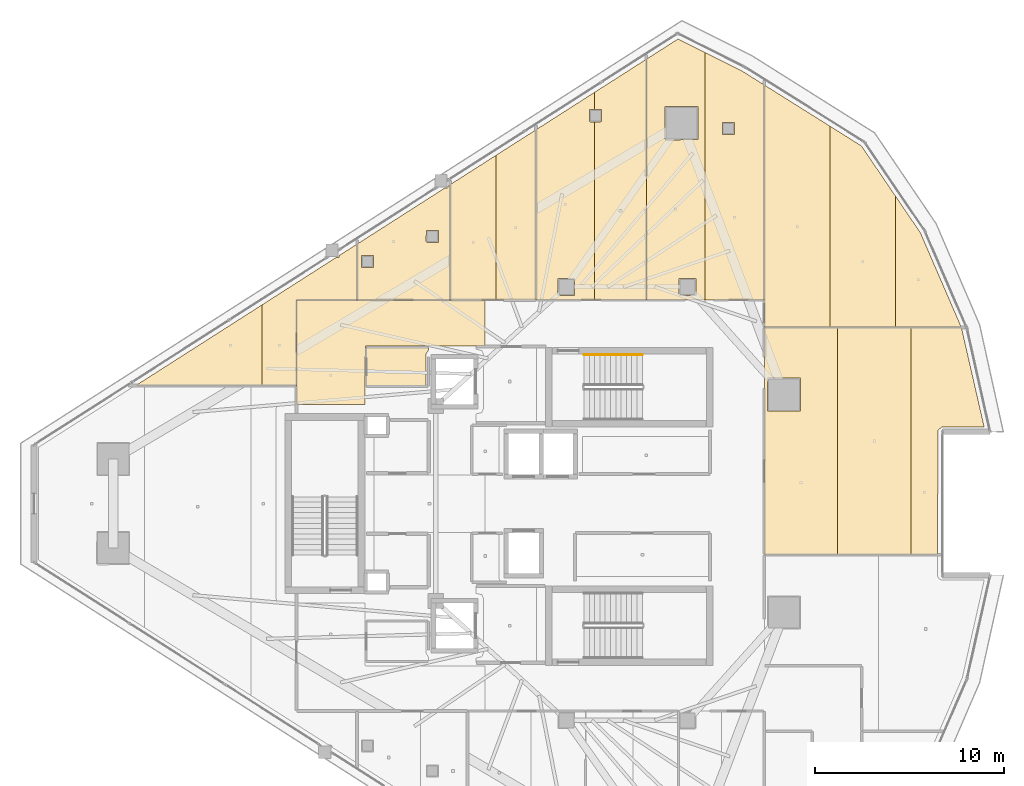
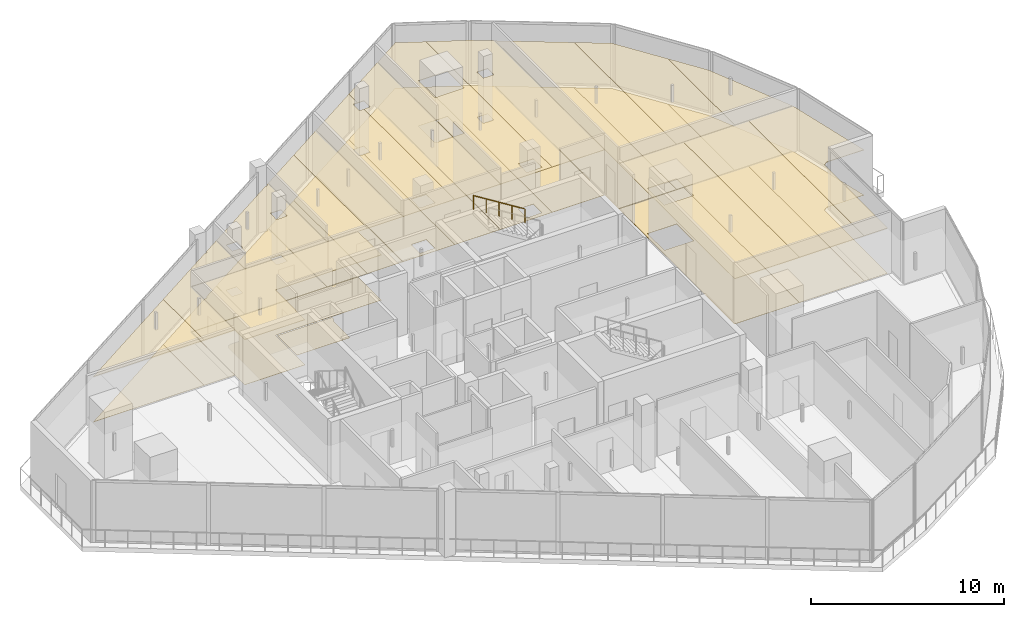
# One storey, part 33 of 33: 33 coverings, 1 railing.
"""IFC4 building model written with IfcOpenShell, lengths in metres."""

import ifcopenshell
import ifcopenshell.guid

model = None  # the IFC model being written
_history = None  # IfcOwnerHistory: only IFC2X3 demands one
_inside = {}  # id of a spatial element -> (the spatial element, [elements in it])
_under = {}  # id of a project, library or spatial element -> (it, [spatial elements below it])
_declared = {}  # id of a project -> (the project, [libraries it declares])
_typed = {}  # id of a type object -> (the type object, [elements of that type])
_made_of = {}  # id of a material, layer set ... -> (it, [elements and type objects made of it])


def new_model(schema):
    """Start an empty IFC model of exactly this schema.

    Asked for "IFC4X3", IfcOpenShell would pick the latest addendum, in which some entities
    have other attributes; the version numbers below select the first issue.
    IFC2X3 requires an IfcOwnerHistory on every rooted entity: one is made here for all.
    """
    global model, _history
    if schema == "IFC4X3":
        model = ifcopenshell.file(schema_version=(4, 3, 0, 0))
    else:
        model = ifcopenshell.file(schema=schema)
    _inside.clear()
    _under.clear()
    _declared.clear()
    _typed.clear()
    _made_of.clear()
    _history = None
    if model.schema == "IFC2X3":
        org = make("IfcOrganization", Name="unknown")
        user = make(
            "IfcPersonAndOrganization",
            ThePerson=make("IfcPerson", FamilyName="unknown"),
            TheOrganization=org,
        )
        app = make(
            "IfcApplication",
            ApplicationDeveloper=org,
            Version="unknown",
            ApplicationFullName="unknown",
            ApplicationIdentifier="unknown",
        )
        _history = make(
            "IfcOwnerHistory",
            OwningUser=user,
            OwningApplication=app,
            ChangeAction="ADDED",
            CreationDate=0,
        )
    return model


def make(cls, **values):
    """One entity of the class cls with the attributes given. An attribute that is None is left unset."""
    return model.create_entity(
        cls, **{name: value for name, value in values.items() if value is not None}
    )


def rooted(cls, **values):
    """An entity with a GlobalId (a new one), such as an element, a storey or a relation."""
    return make(cls, GlobalId=ifcopenshell.guid.new(), OwnerHistory=_history, **values)


def si_unit(unit_type, name, prefix=None):
    """IfcSIUnit, for example si_unit("LENGTHUNIT", "METRE", prefix="MILLI")."""
    return make("IfcSIUnit", UnitType=unit_type, Prefix=prefix, Name=name)


def assignment(units):
    """IfcUnitAssignment: the units of a project."""
    return None if units is None else make("IfcUnitAssignment", Units=units)


def point(xyz):
    """IfcCartesianPoint."""
    return None if xyz is None else make("IfcCartesianPoint", Coordinates=xyz)


def direction(xyz):
    """IfcDirection."""
    return None if xyz is None else make("IfcDirection", DirectionRatios=xyz)


def frame(location, z_axis=None, x_axis=None):
    """IfcAxis2Placement3D, a coordinate frame: its origin and axes. An axis left out is left unset."""
    return make(
        "IfcAxis2Placement3D",
        Location=point(location),
        Axis=direction(z_axis),
        RefDirection=direction(x_axis),
    )


def frame_2d(location, x_axis=None):
    """IfcAxis2Placement2D, a coordinate frame in the plane: its origin and x axis."""
    return make(
        "IfcAxis2Placement2D", Location=point(location), RefDirection=direction(x_axis)
    )


def origin():
    """The frame at (0, 0, 0) with its axes left unset."""
    return frame((0.0, 0.0, 0.0))


def origin_2d():
    """The frame at (0, 0) in the plane with its x axis left unset."""
    return frame_2d((0.0, 0.0))


def place(relative_to, where):
    """IfcLocalPlacement: puts the frame where relative to a parent placement (None: the world)."""
    return make(
        "IfcLocalPlacement", PlacementRelTo=relative_to, RelativePlacement=where
    )


def context(
    kind, dimensions, precision=None, world=None, true_north=None, identifier=None
):
    """IfcGeometricRepresentationContext, for example the 3D "Model" context."""
    return make(
        "IfcGeometricRepresentationContext",
        ContextIdentifier=identifier,
        ContextType=kind,
        CoordinateSpaceDimension=dimensions,
        Precision=precision,
        WorldCoordinateSystem=world,
        TrueNorth=true_north,
    )


def subcontext(parent, identifier, kind, view, scale=None):
    """IfcGeometricRepresentationSubContext, for example "Body" below "Model"."""
    return make(
        "IfcGeometricRepresentationSubContext",
        ContextIdentifier=identifier,
        ContextType=kind,
        ParentContext=parent,
        TargetScale=scale,
        TargetView=view,
    )


def project(units=None, contexts=None):
    """IfcProject with its units and contexts."""
    return rooted(
        "IfcProject",
        Name="project",
        RepresentationContexts=contexts,
        UnitsInContext=assignment(units),
    )


def spatial(cls, under=None, at=None, **own):
    """A site, building, storey or space (cls), placed at a placement, below another one or the project."""
    s = rooted(cls, ObjectPlacement=at, **own)
    if under is not None:
        _under.setdefault(under.id(), (under, []))[1].append(s)
    return s


def polyline(points):
    """IfcPolyline through the points."""
    return make("IfcPolyline", Points=[point(p) for p in points])


def profile(cls, at=None, kind="AREA", **sizes):
    """A parametric profile (cls). Its sizes go by their IFC names, for example OverallWidth=200.0."""
    return make(cls, ProfileType=kind, Position=at, **sizes)


def circle(**sizes):
    """IfcCircleProfileDef."""
    return profile("IfcCircleProfileDef", **sizes)


def outline(outer, holes=None, kind="AREA"):
    """IfcArbitraryClosedProfileDef: a profile drawn as a closed curve; with holes, ...WithVoids."""
    if holes is None:
        return make("IfcArbitraryClosedProfileDef", ProfileType=kind, OuterCurve=outer)
    return make(
        "IfcArbitraryProfileDefWithVoids",
        ProfileType=kind,
        OuterCurve=outer,
        InnerCurves=holes,
    )


def extrude(swept, where, along, depth):
    """IfcExtrudedAreaSolid: the profile swept, set in the frame where, extruded along a direction by depth."""
    return make(
        "IfcExtrudedAreaSolid",
        SweptArea=swept,
        Position=where,
        ExtrudedDirection=direction(along),
        Depth=depth,
    )


def shape(context_of_items, identifier, shape_type, items):
    """IfcShapeRepresentation: the items that make up one representation, for example the "Body"."""
    return make(
        "IfcShapeRepresentation",
        ContextOfItems=context_of_items,
        RepresentationIdentifier=identifier,
        RepresentationType=shape_type,
        Items=items,
    )


def material(Name=None, Category=None):
    """IfcMaterial."""
    return make("IfcMaterial", Name=Name, Category=Category)


def layer(
    of_material, thickness, ventilated=None, Name=None, Category=None, Priority=None
):
    """IfcMaterialLayer: one layer of a wall or slab, of a material (None: an air gap)."""
    return make(
        "IfcMaterialLayer",
        Material=of_material,
        LayerThickness=thickness,
        IsVentilated=ventilated,
        Name=Name,
        Category=Category,
        Priority=Priority,
    )


def layer_set(layers, Name=None):
    """IfcMaterialLayerSet."""
    return make("IfcMaterialLayerSet", MaterialLayers=layers, LayerSetName=Name)


def made_of(thing, what):
    """Note that an element or type object is made of a material, layer set ...; save() writes the relation."""
    if what is not None:
        _made_of.setdefault(what.id(), (what, []))[1].append(thing)
    return thing


def type_object(cls, material=None, **own):
    """A type object (cls), such as IfcWallType, which elements share."""
    return made_of(rooted(cls, **own), material)


def element(
    cls,
    number,
    at=None,
    inside=None,
    cuts=None,
    type_object=None,
    material=None,
    context=None,
    identifier="Body",
    shape_type=None,
    held_by="IfcProductDefinitionShape",
    body=None,
    shapes=None,
    **own,
):
    """One element of the class cls, such as IfcWall. Its Tag is "e" and its number.

    at: its placement. inside: the storey or other place that contains it. cuts: it is an
    opening in that element (IfcRelVoidsElement). A single representation is given by context,
    identifier, shape_type and body (its items); several are given by shapes. held_by: the class
    of the entity that holds the representations. save() writes the other relations.
    """
    e = rooted(cls, Tag="e%d" % number, ObjectPlacement=at, **own)
    if body is not None:
        shapes = [shape(context, identifier, shape_type, body)]
    if shapes is not None:
        e.Representation = make(held_by, Representations=shapes)
    if inside is not None:
        _inside.setdefault(inside.id(), (inside, []))[1].append(e)
    if cuts is not None:
        rooted(
            "IfcRelVoidsElement", RelatingBuildingElement=cuts, RelatedOpeningElement=e
        )
    if type_object is not None:
        _typed.setdefault(type_object.id(), (type_object, []))[1].append(e)
    return made_of(e, material)


def aggregate(whole, parts):
    """IfcRelAggregates: a whole, such as a stair, and the parts it consists of."""
    return rooted("IfcRelAggregates", RelatingObject=whole, RelatedObjects=parts)


def save(model, path):
    """Write the relations noted so far, then the file.

    IfcRelAggregates (storeys below a building ...), IfcRelContainedInSpatialStructure (elements
    in a storey), IfcRelDefinesByType, IfcRelAssociatesMaterial and IfcRelDeclares: one each for
    every whole, place, type object, material and project.
    """
    for whole, parts in _under.values():
        aggregate(whole, parts)
    for where, things in _inside.values():
        rooted(
            "IfcRelContainedInSpatialStructure",
            RelatedElements=things,
            RelatingStructure=where,
        )
    for kind, things in _typed.values():
        rooted("IfcRelDefinesByType", RelatedObjects=things, RelatingType=kind)
    for what, things in _made_of.values():
        rooted("IfcRelAssociatesMaterial", RelatedObjects=things, RelatingMaterial=what)
    for by, libraries in _declared.values():
        rooted("IfcRelDeclares", RelatingContext=by, RelatedDefinitions=libraries)
    model.write(path)


model = new_model("IFC4")

# Units and contexts
model_context = context("Model", 3, precision=1e-05, world=origin(), true_north=direction((0.0, 1.0)))
body_context = subcontext(model_context, "Body", "Model", "MODEL_VIEW")
ifc_project = project(units=[si_unit("LENGTHUNIT", "METRE"), si_unit("AREAUNIT", "SQUARE_METRE"), si_unit("VOLUMEUNIT", "CUBIC_METRE"), si_unit("PLANEANGLEUNIT", "RADIAN"), si_unit("MASSUNIT", "GRAM", prefix="KILO")], contexts=[model_context])

# Site, building, storey
site_placement = place(None, origin())
site = spatial("IfcSite", under=ifc_project, at=site_placement, CompositionType="ELEMENT")
building_placement = place(site_placement, origin())
building = spatial("IfcBuilding", under=site, at=building_placement, Name="Qorvath Tower", CompositionType="ELEMENT")
storey_placement = place(building_placement, frame((0.0, 0.0, 280.800048828125)))
storey = spatial("IfcBuildingStorey", under=building, at=storey_placement, Name="L65", CompositionType="ELEMENT", Elevation=280.800048828125)

# Coverings
ifc_material_1 = material(Name="Acoustic mineral fibre ceiling tile", Category="gypsum")
ifc_layer_1 = layer(ifc_material_1, 0.030029296875)
ifc_layer_set_1 = layer_set([ifc_layer_1], Name="COV-CEIL")
covering_type_1 = type_object("IfcCoveringType", Name="COV-CEIL", PredefinedType="CEILING", material=ifc_layer_set_1)
covering_1_placement = place(storey_placement, frame((0.0, 0.0, 2.849853515625)))
element("IfcCovering", 1, at=covering_1_placement, inside=storey, type_object=covering_type_1, Name="L65 Suspended Acoustic Ceiling 012", PredefinedType="CEILING", context=body_context, shape_type="SweptSolid", body=[
    extrude(outline(polyline([(-27.8984375, 8.324951171875), (-27.8984375, 10.7451171875), (-37.844970703125, 10.7451171875), (-37.844970703125, 5.239990234375), (-34.2509765625, 5.239990234375), (-34.219970703125, 8.324951171875), (-27.8984375, 8.324951171875)])), origin(), (0.0, 0.0, 1.0), 0.030029296875),
])
covering_2_placement = place(storey_placement, frame((0.0, 0.0, 2.849853515625)))
element("IfcCovering", 2, at=covering_2_placement, inside=storey, type_object=covering_type_1, Name="L65 Suspended Acoustic Ceiling 014", PredefinedType="CEILING", context=body_context, shape_type="SweptSolid", body=[
    extrude(outline(polyline([(-29.743896484375, 16.850830078125), (-29.83984375, 16.78955078125), (-29.857421875, 16.692138671875), (-30.019775390625, 16.674560546875), (-34.64501953125, 13.718505859375), (-34.64501953125, 10.762939453125), (-29.743896484375, 10.762939453125), (-29.743896484375, 16.850830078125)]), holes=[polyline([(-30.99462890625, 14.441650390625), (-30.35986328125, 14.441650390625), (-30.35986328125, 13.806884765625), (-30.9521484375, 13.789306640625), (-31.01220703125, 13.849365234375), (-30.99462890625, 14.441650390625)]), polyline([(-34.421630859375, 13.10986328125), (-33.786865234375, 13.10986328125), (-33.786865234375, 12.47509765625), (-34.421630859375, 12.47509765625), (-34.421630859375, 13.10986328125)])]), origin(), (0.0, 0.0, 1.0), 0.030029296875),
])
covering_3_placement = place(storey_placement, frame((0.0, 0.0, 2.849853515625)))
element("IfcCovering", 3, at=covering_3_placement, inside=storey, type_object=covering_type_1, Name="L65 Suspended Acoustic Ceiling 015", PredefinedType="CEILING", context=body_context, shape_type="SweptSolid", body=[
    extrude(outline(polyline([(-29.725830078125, 16.8623046875), (-29.725830078125, 10.762939453125), (-27.328369140625, 10.762939453125), (-27.328369140625, 18.394775390625), (-29.725830078125, 16.8623046875)])), origin(), (0.0, 0.0, 1.0), 0.030029296875),
])
covering_4_placement = place(storey_placement, frame((0.0, 0.0, 2.849853515625)))
element("IfcCovering", 4, at=covering_4_placement, inside=storey, type_object=covering_type_1, Name="L65 Suspended Acoustic Ceiling 016", PredefinedType="CEILING", context=body_context, shape_type="SweptSolid", body=[
    extrude(outline(polyline([(-27.328369140625, 18.394775390625), (-27.328369140625, 10.762939453125), (-25.218017578125, 10.762939453125), (-25.218017578125, 19.74365234375), (-27.328369140625, 18.394775390625)])), origin(), (0.0, 0.0, 1.0), 0.030029296875),
])
covering_5_placement = place(storey_placement, frame((0.0, 0.0, 2.849853515625)))
element("IfcCovering", 5, at=covering_5_placement, inside=storey, type_object=covering_type_1, Name="L65 Suspended Acoustic Ceiling 017", PredefinedType="CEILING", context=body_context, shape_type="SweptSolid", body=[
    extrude(outline(polyline([(-25.199951171875, 19.755126953125), (-25.199951171875, 10.762939453125), (-22.1044921875, 10.762939453125), (-22.1044921875, 20.16650390625), (-22.328125, 20.159912109375), (-22.38818359375, 20.219970703125), (-22.37060546875, 20.812255859375), (-22.1044921875, 20.812255859375), (-22.1044921875, 21.7333984375), (-25.199951171875, 19.755126953125)]), holes=[polyline([(-24.06005859375, 11.050048828125), (-24.04248046875, 11.892333984375), (-23.157470703125, 11.892333984375), (-23.157470703125, 11.007568359375), (-24.0, 10.989990234375), (-24.06005859375, 11.050048828125)])]), origin(), (0.0, 0.0, 1.0), 0.030029296875),
])
covering_6_placement = place(storey_placement, frame((0.0, 0.0, 2.849853515625)))
element("IfcCovering", 6, at=covering_6_placement, inside=storey, type_object=covering_type_1, Name="L65 Suspended Acoustic Ceiling 018", PredefinedType="CEILING", context=body_context, shape_type="SweptSolid", body=[
    extrude(outline(polyline([(-22.1044921875, 21.7333984375), (-22.1044921875, 20.812255859375), (-21.73583984375, 20.812255859375), (-21.73583984375, 20.177490234375), (-22.1044921875, 20.16650390625), (-22.1044921875, 10.762939453125), (-19.379150390625, 10.762939453125), (-19.379150390625, 23.475341796875), (-22.1044921875, 21.7333984375)])), origin(), (0.0, 0.0, 1.0), 0.030029296875),
])
covering_7_placement = place(storey_placement, frame((0.0, 0.0, 2.849853515625)))
element("IfcCovering", 7, at=covering_7_placement, inside=storey, type_object=covering_type_1, Name="L65 Suspended Acoustic Ceiling 019", PredefinedType="CEILING", context=body_context, shape_type="SweptSolid", body=[
    extrude(outline(polyline([(-16.285888671875, 10.762939453125), (-16.285888671875, 23.83544921875), (-17.705322265625, 24.545166015625), (-19.361083984375, 23.48681640625), (-19.361083984375, 10.762939453125), (-16.285888671875, 10.762939453125)]), holes=[polyline([(-18.400390625, 19.276611328125), (-18.3828125, 20.968994140625), (-16.648193359375, 20.968994140625), (-16.648193359375, 19.234130859375), (-18.340576171875, 19.216552734375), (-18.400390625, 19.276611328125)]), polyline([(-17.659912109375, 11.050048828125), (-17.642333984375, 11.892333984375), (-16.757568359375, 11.892333984375), (-16.757568359375, 11.007568359375), (-17.60009765625, 10.989990234375), (-17.659912109375, 11.050048828125)])]), origin(), (0.0, 0.0, 1.0), 0.030029296875),
])
covering_8_placement = place(storey_placement, frame((0.0, 0.0, 2.849853515625)))
element("IfcCovering", 8, at=covering_8_placement, inside=storey, type_object=covering_type_1, Name="L65 Suspended Acoustic Ceiling 020", PredefinedType="CEILING", context=body_context, shape_type="SweptSolid", body=[
    extrude(outline(polyline([(-13.155029296875, 10.762939453125), (-13.155029296875, 22.12451171875), (-14.29736328125, 22.84130859375), (-16.285888671875, 23.83544921875), (-16.285888671875, 10.762939453125), (-13.155029296875, 10.762939453125)]), holes=[polyline([(-15.363525390625, 19.500732421875), (-15.363525390625, 20.135498046875), (-14.728759765625, 20.135498046875), (-14.728759765625, 19.500732421875), (-15.363525390625, 19.500732421875)])]), origin(), (0.0, 0.0, 1.0), 0.030029296875),
])
covering_9_placement = place(storey_placement, frame((0.0, 0.0, 2.849853515625)))
element("IfcCovering", 9, at=covering_9_placement, inside=storey, type_object=covering_type_1, Name="L65 Suspended Acoustic Ceiling 033", PredefinedType="CEILING", context=body_context, shape_type="SweptSolid", body=[
    extrude(outline(polyline([(-9.266357421875, -2.689453125), (-9.266357421875, 9.31103515625), (-13.136962890625, 9.31103515625), (-13.136962890625, -2.689453125), (-9.266357421875, -2.689453125)]), holes=[polyline([(-12.964111328125, 4.890380859375), (-12.964111328125, 6.625244140625), (-11.2294921875, 6.625244140625), (-11.2294921875, 4.890380859375), (-12.964111328125, 4.890380859375)])]), origin(), (0.0, 0.0, 1.0), 0.030029296875),
])
covering_10_placement = place(storey_placement, frame((0.0, 0.0, 2.849853515625)))
element("IfcCovering", 10, at=covering_10_placement, inside=storey, type_object=covering_type_1, Name="L65 Suspended Acoustic Ceiling 034", PredefinedType="CEILING", context=body_context, shape_type="SweptSolid", body=[
    extrude(outline(polyline([(-5.39599609375, -2.689453125), (-5.39599609375, 9.31103515625), (-9.266357421875, 9.31103515625), (-9.266357421875, -2.689453125), (-5.39599609375, -2.689453125)])), origin(), (0.0, 0.0, 1.0), 0.030029296875),
])
covering_11_placement = place(storey_placement, frame((0.0, 0.0, 2.849853515625)))
element("IfcCovering", 11, at=covering_11_placement, inside=storey, type_object=covering_type_1, Name="L65 Suspended Acoustic Ceiling 035", PredefinedType="CEILING", context=body_context, shape_type="SweptSolid", body=[
    extrude(outline(polyline([(-3.76025390625, 4.044189453125), (-1.525390625, 4.0458984375), (-2.731689453125, 9.31103515625), (-5.39599609375, 9.31103515625), (-5.39599609375, -2.689453125), (-3.98876953125, -2.689453125), (-3.969970703125, 3.886474609375), (-3.76025390625, 4.044189453125)])), origin(), (0.0, 0.0, 1.0), 0.030029296875),
])
covering_12_placement = place(storey_placement, frame((0.0, 0.0, 2.849853515625)))
element("IfcCovering", 12, at=covering_12_placement, inside=storey, type_object=covering_type_1, Name="L65 Suspended Acoustic Ceiling 036", PredefinedType="CEILING", context=body_context, shape_type="SweptSolid", body=[
    extrude(outline(polyline([(-13.136962890625, 22.113037109375), (-13.136962890625, 9.328857421875), (-9.6708984375, 9.328857421875), (-9.6708984375, 19.9384765625), (-13.136962890625, 22.113037109375)])), origin(), (0.0, 0.0, 1.0), 0.030029296875),
])
covering_13_placement = place(storey_placement, frame((0.0, 0.0, 2.849853515625)))
element("IfcCovering", 13, at=covering_13_placement, inside=storey, type_object=covering_type_1, Name="L65 Suspended Acoustic Ceiling 037", PredefinedType="CEILING", context=body_context, shape_type="SweptSolid", body=[
    extrude(outline(polyline([(-9.6708984375, 19.9384765625), (-9.6708984375, 9.328857421875), (-6.204833984375, 9.328857421875), (-6.204833984375, 16.23681640625), (-8.012451171875, 18.897705078125), (-9.6708984375, 19.9384765625)])), origin(), (0.0, 0.0, 1.0), 0.030029296875),
])
covering_14_placement = place(storey_placement, frame((0.0, 0.0, 2.849853515625)))
element("IfcCovering", 14, at=covering_14_placement, inside=storey, type_object=covering_type_1, Name="L65 Suspended Acoustic Ceiling 038", PredefinedType="CEILING", context=body_context, shape_type="SweptSolid", body=[
    extrude(outline(polyline([(-6.204833984375, 16.23681640625), (-6.204833984375, 9.328857421875), (-2.73876953125, 9.328857421875), (-4.89697265625, 14.3115234375), (-6.204833984375, 16.23681640625)])), origin(), (0.0, 0.0, 1.0), 0.030029296875),
])
covering_15_placement = place(storey_placement, frame((0.0, 0.0, 2.849853515625)))
element("IfcCovering", 15, at=covering_15_placement, inside=storey, type_object=covering_type_1, Name="L65 Suspended Acoustic Ceiling 042", PredefinedType="CEILING", context=body_context, shape_type="SweptSolid", body=[
    extrude(outline(polyline([(-39.6884765625, 6.252685546875), (-39.6884765625, 10.4951171875), (-46.325927734375, 6.252685546875), (-39.6884765625, 6.252685546875)])), origin(), (0.0, 0.0, 1.0), 0.030029296875),
])
covering_16_placement = place(storey_placement, frame((0.0, 0.0, 2.849853515625)))
element("IfcCovering", 16, at=covering_16_placement, inside=storey, type_object=covering_type_1, Name="L65 Suspended Acoustic Ceiling 043", PredefinedType="CEILING", context=body_context, shape_type="SweptSolid", body=[
    extrude(outline(polyline([(-34.6630859375, 10.762939453125), (-34.6630859375, 13.70703125), (-35.595703125, 13.11083984375), (-35.61328125, 13.013427734375), (-35.775390625, 12.995849609375), (-39.6884765625, 10.4951171875), (-39.6884765625, 6.252685546875), (-37.863037109375, 6.252685546875), (-37.861572265625, 10.761474609375), (-34.6630859375, 10.762939453125)])), origin(), (0.0, 0.0, 1.0), 0.030029296875),
])
ifc_material_2 = material(Name="Low-VOC modular carpet tile", Category="textile")
ifc_layer_2 = layer(ifc_material_2, 0.014892578125)
ifc_layer_set_2 = layer_set([ifc_layer_2], Name="COV-FLOOR-CPT")
covering_type_2 = type_object("IfcCoveringType", Name="COV-FLOOR-CPT", PredefinedType="FLOORING", material=ifc_layer_set_2)
covering_17_placement = place(storey_placement, origin())
element("IfcCovering", 17, at=covering_17_placement, inside=storey, type_object=covering_type_2, Name="L65 Floor Finish 014", PredefinedType="FLOORING", context=body_context, shape_type="SweptSolid", body=[
    extrude(outline(polyline([(-29.743896484375, 16.850830078125), (-29.83984375, 16.78955078125), (-29.857421875, 16.692138671875), (-30.019775390625, 16.674560546875), (-34.64501953125, 13.718505859375), (-34.64501953125, 10.762939453125), (-29.743896484375, 10.762939453125), (-29.743896484375, 16.850830078125)]), holes=[polyline([(-30.99462890625, 14.441650390625), (-30.35986328125, 14.441650390625), (-30.35986328125, 13.806884765625), (-30.9521484375, 13.789306640625), (-31.01220703125, 13.849365234375), (-30.99462890625, 14.441650390625)]), polyline([(-34.421630859375, 13.10986328125), (-33.786865234375, 13.10986328125), (-33.786865234375, 12.47509765625), (-34.421630859375, 12.47509765625), (-34.421630859375, 13.10986328125)])]), origin(), (0.0, 0.0, 1.0), 0.014892578125),
])
covering_18_placement = place(storey_placement, origin())
element("IfcCovering", 18, at=covering_18_placement, inside=storey, type_object=covering_type_2, Name="L65 Floor Finish 015", PredefinedType="FLOORING", context=body_context, shape_type="SweptSolid", body=[
    extrude(outline(polyline([(-29.725830078125, 16.8623046875), (-29.725830078125, 10.762939453125), (-27.328369140625, 10.762939453125), (-27.328369140625, 18.394775390625), (-29.725830078125, 16.8623046875)])), origin(), (0.0, 0.0, 1.0), 0.014892578125),
])
covering_19_placement = place(storey_placement, origin())
element("IfcCovering", 19, at=covering_19_placement, inside=storey, type_object=covering_type_2, Name="L65 Floor Finish 016", PredefinedType="FLOORING", context=body_context, shape_type="SweptSolid", body=[
    extrude(outline(polyline([(-27.328369140625, 18.394775390625), (-27.328369140625, 10.762939453125), (-25.218017578125, 10.762939453125), (-25.218017578125, 19.74365234375), (-27.328369140625, 18.394775390625)])), origin(), (0.0, 0.0, 1.0), 0.014892578125),
])
covering_20_placement = place(storey_placement, origin())
element("IfcCovering", 20, at=covering_20_placement, inside=storey, type_object=covering_type_2, Name="L65 Floor Finish 017", PredefinedType="FLOORING", context=body_context, shape_type="SweptSolid", body=[
    extrude(outline(polyline([(-25.199951171875, 19.755126953125), (-25.199951171875, 10.762939453125), (-22.1044921875, 10.762939453125), (-22.1044921875, 20.16650390625), (-22.328125, 20.159912109375), (-22.38818359375, 20.219970703125), (-22.37060546875, 20.812255859375), (-22.1044921875, 20.812255859375), (-22.1044921875, 21.7333984375), (-25.199951171875, 19.755126953125)]), holes=[polyline([(-24.06005859375, 11.050048828125), (-24.04248046875, 11.892333984375), (-23.157470703125, 11.892333984375), (-23.157470703125, 11.007568359375), (-24.0, 10.989990234375), (-24.06005859375, 11.050048828125)])]), origin(), (0.0, 0.0, 1.0), 0.014892578125),
])
covering_21_placement = place(storey_placement, origin())
element("IfcCovering", 21, at=covering_21_placement, inside=storey, type_object=covering_type_2, Name="L65 Floor Finish 018", PredefinedType="FLOORING", context=body_context, shape_type="SweptSolid", body=[
    extrude(outline(polyline([(-22.1044921875, 21.7333984375), (-22.1044921875, 20.812255859375), (-21.73583984375, 20.812255859375), (-21.73583984375, 20.177490234375), (-22.1044921875, 20.16650390625), (-22.1044921875, 10.762939453125), (-19.379150390625, 10.762939453125), (-19.379150390625, 23.475341796875), (-22.1044921875, 21.7333984375)])), origin(), (0.0, 0.0, 1.0), 0.014892578125),
])
covering_22_placement = place(storey_placement, origin())
element("IfcCovering", 22, at=covering_22_placement, inside=storey, type_object=covering_type_2, Name="L65 Floor Finish 019", PredefinedType="FLOORING", context=body_context, shape_type="SweptSolid", body=[
    extrude(outline(polyline([(-16.285888671875, 10.762939453125), (-16.285888671875, 23.83544921875), (-17.705322265625, 24.545166015625), (-19.361083984375, 23.48681640625), (-19.361083984375, 10.762939453125), (-16.285888671875, 10.762939453125)]), holes=[polyline([(-18.400390625, 19.276611328125), (-18.3828125, 20.968994140625), (-16.648193359375, 20.968994140625), (-16.648193359375, 19.234130859375), (-18.340576171875, 19.216552734375), (-18.400390625, 19.276611328125)]), polyline([(-17.659912109375, 11.050048828125), (-17.642333984375, 11.892333984375), (-16.757568359375, 11.892333984375), (-16.757568359375, 11.007568359375), (-17.60009765625, 10.989990234375), (-17.659912109375, 11.050048828125)])]), origin(), (0.0, 0.0, 1.0), 0.014892578125),
])
covering_23_placement = place(storey_placement, origin())
element("IfcCovering", 23, at=covering_23_placement, inside=storey, type_object=covering_type_2, Name="L65 Floor Finish 020", PredefinedType="FLOORING", context=body_context, shape_type="SweptSolid", body=[
    extrude(outline(polyline([(-13.155029296875, 10.762939453125), (-13.155029296875, 22.12451171875), (-14.29736328125, 22.84130859375), (-16.285888671875, 23.83544921875), (-16.285888671875, 10.762939453125), (-13.155029296875, 10.762939453125)]), holes=[polyline([(-15.363525390625, 19.500732421875), (-15.363525390625, 20.135498046875), (-14.728759765625, 20.135498046875), (-14.728759765625, 19.500732421875), (-15.363525390625, 19.500732421875)])]), origin(), (0.0, 0.0, 1.0), 0.014892578125),
])
covering_24_placement = place(storey_placement, origin())
element("IfcCovering", 24, at=covering_24_placement, inside=storey, type_object=covering_type_2, Name="L65 Floor Finish 033", PredefinedType="FLOORING", context=body_context, shape_type="SweptSolid", body=[
    extrude(outline(polyline([(-9.266357421875, -2.689453125), (-9.266357421875, 9.31103515625), (-13.136962890625, 9.31103515625), (-13.136962890625, -2.689453125), (-9.266357421875, -2.689453125)]), holes=[polyline([(-12.964111328125, 4.890380859375), (-12.964111328125, 6.625244140625), (-11.2294921875, 6.625244140625), (-11.2294921875, 4.890380859375), (-12.964111328125, 4.890380859375)])]), origin(), (0.0, 0.0, 1.0), 0.014892578125),
])
covering_25_placement = place(storey_placement, origin())
element("IfcCovering", 25, at=covering_25_placement, inside=storey, type_object=covering_type_2, Name="L65 Floor Finish 034", PredefinedType="FLOORING", context=body_context, shape_type="SweptSolid", body=[
    extrude(outline(polyline([(-5.39599609375, -2.689453125), (-5.39599609375, 9.31103515625), (-9.266357421875, 9.31103515625), (-9.266357421875, -2.689453125), (-5.39599609375, -2.689453125)])), origin(), (0.0, 0.0, 1.0), 0.014892578125),
])
covering_26_placement = place(storey_placement, origin())
element("IfcCovering", 26, at=covering_26_placement, inside=storey, type_object=covering_type_2, Name="L65 Floor Finish 035", PredefinedType="FLOORING", context=body_context, shape_type="SweptSolid", body=[
    extrude(outline(polyline([(-3.76025390625, 4.044189453125), (-1.525390625, 4.0458984375), (-2.731689453125, 9.31103515625), (-5.39599609375, 9.31103515625), (-5.39599609375, -2.689453125), (-3.98876953125, -2.689453125), (-3.969970703125, 3.886474609375), (-3.76025390625, 4.044189453125)])), origin(), (0.0, 0.0, 1.0), 0.014892578125),
])
covering_27_placement = place(storey_placement, origin())
element("IfcCovering", 27, at=covering_27_placement, inside=storey, type_object=covering_type_2, Name="L65 Floor Finish 036", PredefinedType="FLOORING", context=body_context, shape_type="SweptSolid", body=[
    extrude(outline(polyline([(-13.136962890625, 22.113037109375), (-13.136962890625, 9.328857421875), (-9.6708984375, 9.328857421875), (-9.6708984375, 19.9384765625), (-13.136962890625, 22.113037109375)])), origin(), (0.0, 0.0, 1.0), 0.014892578125),
])
covering_28_placement = place(storey_placement, origin())
element("IfcCovering", 28, at=covering_28_placement, inside=storey, type_object=covering_type_2, Name="L65 Floor Finish 037", PredefinedType="FLOORING", context=body_context, shape_type="SweptSolid", body=[
    extrude(outline(polyline([(-9.6708984375, 19.9384765625), (-9.6708984375, 9.328857421875), (-6.204833984375, 9.328857421875), (-6.204833984375, 16.23681640625), (-8.012451171875, 18.897705078125), (-9.6708984375, 19.9384765625)])), origin(), (0.0, 0.0, 1.0), 0.014892578125),
])
covering_29_placement = place(storey_placement, origin())
element("IfcCovering", 29, at=covering_29_placement, inside=storey, type_object=covering_type_2, Name="L65 Floor Finish 038", PredefinedType="FLOORING", context=body_context, shape_type="SweptSolid", body=[
    extrude(outline(polyline([(-6.204833984375, 16.23681640625), (-6.204833984375, 9.328857421875), (-2.73876953125, 9.328857421875), (-4.89697265625, 14.3115234375), (-6.204833984375, 16.23681640625)])), origin(), (0.0, 0.0, 1.0), 0.014892578125),
])
covering_30_placement = place(storey_placement, origin())
element("IfcCovering", 30, at=covering_30_placement, inside=storey, type_object=covering_type_2, Name="L65 Floor Finish 042", PredefinedType="FLOORING", context=body_context, shape_type="SweptSolid", body=[
    extrude(outline(polyline([(-39.6884765625, 6.252685546875), (-39.6884765625, 10.4951171875), (-46.325927734375, 6.252685546875), (-39.6884765625, 6.252685546875)])), origin(), (0.0, 0.0, 1.0), 0.014892578125),
])
covering_31_placement = place(storey_placement, origin())
element("IfcCovering", 31, at=covering_31_placement, inside=storey, type_object=covering_type_2, Name="L65 Floor Finish 043", PredefinedType="FLOORING", context=body_context, shape_type="SweptSolid", body=[
    extrude(outline(polyline([(-34.6630859375, 10.762939453125), (-34.6630859375, 13.70703125), (-35.595703125, 13.11083984375), (-35.61328125, 13.013427734375), (-35.775390625, 12.995849609375), (-39.6884765625, 10.4951171875), (-39.6884765625, 6.252685546875), (-37.863037109375, 6.252685546875), (-37.861572265625, 10.761474609375), (-34.6630859375, 10.762939453125)])), origin(), (0.0, 0.0, 1.0), 0.014892578125),
])
ifc_material_3 = material(Name="Polished epoxy terrazzo flooring", Category="concrete")
ifc_layer_3 = layer(ifc_material_3, 0.02001953125)
ifc_layer_set_3 = layer_set([ifc_layer_3], Name="COV-FLOOR-TRZ")
covering_type_3 = type_object("IfcCoveringType", Name="COV-FLOOR-TRZ", PredefinedType="FLOORING", material=ifc_layer_set_3)
covering_32_placement = place(storey_placement, origin())
element("IfcCovering", 32, at=covering_32_placement, inside=storey, type_object=covering_type_3, Name="L65 Floor Finish 007", PredefinedType="FLOORING", context=body_context, shape_type="SweptSolid", body=[
    extrude(outline(polyline([(-31.010009765625, 6.205078125), (-31.010009765625, 7.909912109375), (-30.885009765625, 8.108154296875), (-30.885009765625, 8.2451171875), (-34.175048828125, 8.2451171875), (-34.175048828125, 6.205078125), (-31.010009765625, 6.205078125)])), origin(), (0.0, 0.0, 1.0), 0.014892578125),
])
covering_33_placement = place(storey_placement, origin())
element("IfcCovering", 33, at=covering_33_placement, inside=storey, type_object=covering_type_3, Name="L65 Floor Finish 012", PredefinedType="FLOORING", context=body_context, shape_type="SweptSolid", body=[
    extrude(outline(polyline([(-27.8984375, 8.324951171875), (-27.8984375, 10.7451171875), (-37.844970703125, 10.7451171875), (-37.844970703125, 5.239990234375), (-34.2509765625, 5.239990234375), (-34.219970703125, 8.324951171875), (-27.8984375, 8.324951171875)])), origin(), (0.0, 0.0, 1.0), 0.014892578125),
])

# Railing
ifc_material_4 = material(Name="Brushed stainless steel AISI 304", Category="steel")
railing_type = type_object("IfcRailingType", Name="RL-STR-HND", PredefinedType="HANDRAIL", material=ifc_material_4)
railing_placement = place(storey_placement, frame((-19.590087890625, 7.860107421875, 2.27490234375)))
element("IfcRailing", 34, at=railing_placement, inside=storey, type_object=railing_type, Name="L65 TS1 stair handrail 2", PredefinedType="HANDRAIL", context=body_context, shape_type="SweptSolid", body=[
    extrude(circle(Radius=0.02392578125, at=origin_2d()), frame((0.0, 0.0, 0.8759765625), z_axis=(-0.847979421464, 0.0, 0.530029150871), x_axis=(0.0, -1.0, 0.0)), (0.0, 0.0, 1.0), 3.632080078125),
    extrude(circle(Radius=0.02099609375, at=origin_2d()), origin(), (0.0, 0.0, 1.0), 0.851806640625),
    extrude(circle(Radius=0.02099609375, at=origin_2d()), frame((-0.77001953125, 0.0, 0.481201171875)), (0.0, 0.0, 1.0), 0.851806640625),
    extrude(circle(Radius=0.02099609375, at=origin_2d()), frame((-1.5400390625, 0.0, 0.96240234375)), (0.0, 0.0, 1.0), 0.851806640625),
    extrude(circle(Radius=0.02099609375, at=origin_2d()), frame((-2.309814453125, 0.0, 1.44384765625)), (0.0, 0.0, 1.0), 0.851806640625),
    extrude(circle(Radius=0.02099609375, at=origin_2d()), frame((-3.079833984375, 0.0, 1.925048828125)), (0.0, 0.0, 1.0), 0.851806640625),
])

save(model, "model.ifc")
